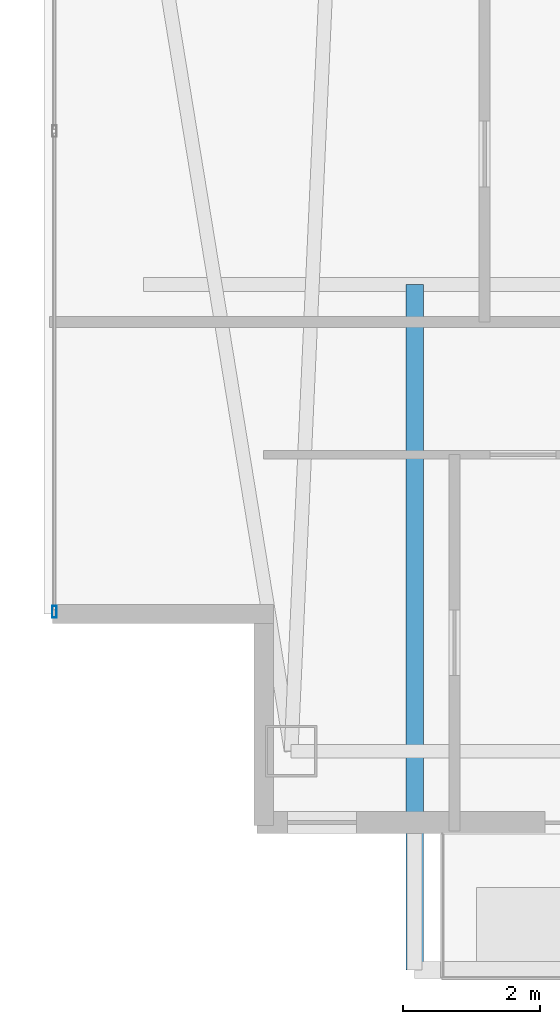
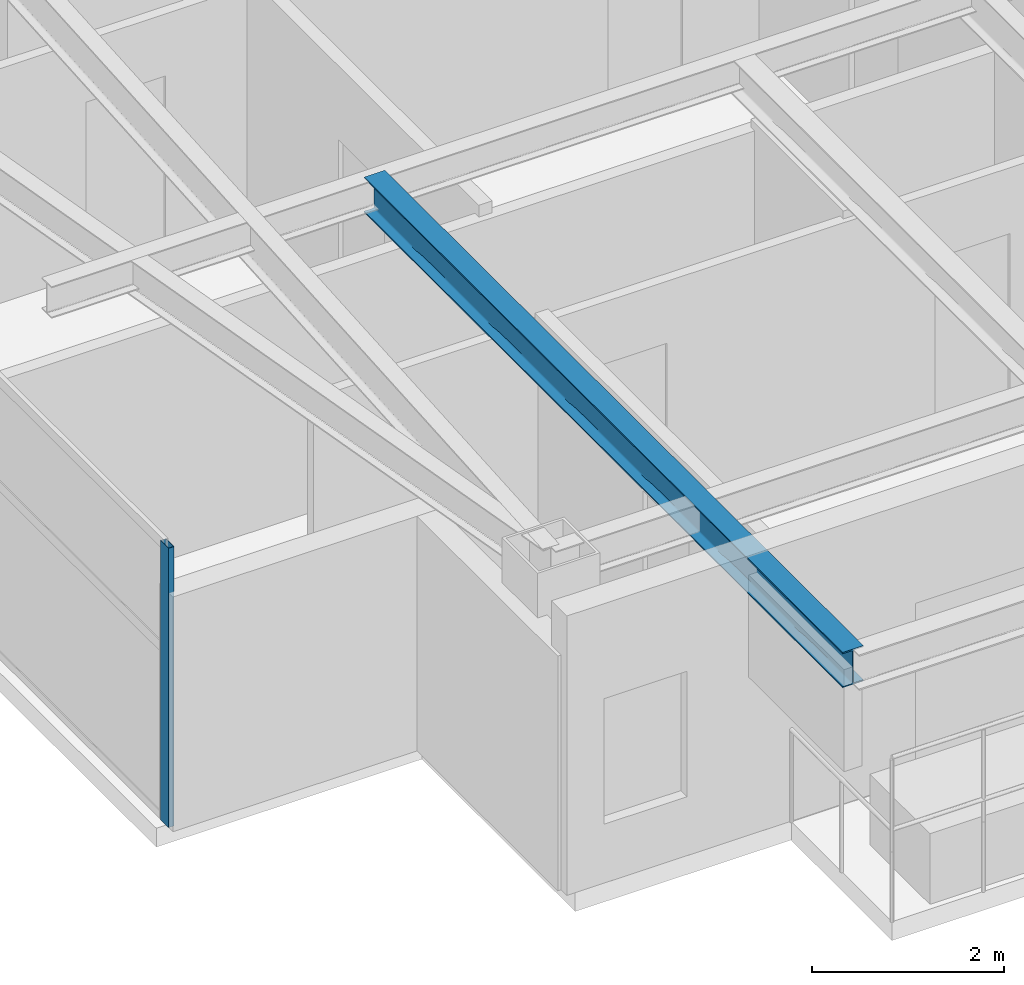
# One storey, part 2 of 27: 1 beam, 1 member, 1 element without a shape of its own.
"""IFC4 building model written with IfcOpenShell, lengths in metres."""

from ifc_helpers import new_model, si_unit, direction, frame, origin, origin_2d, place, context, subcontext, project, spatial, hollow_rectangle, i_section, extrude, material, layer, layer_set, material_profile, profile_set, type_object, element, aggregate, save


model = new_model("IFC4")

# Units and contexts
model_context = context("Model", 3, precision=1e-05, world=origin(), true_north=direction((0.0, 1.0)))
body_context = subcontext(model_context, "Body", "Model", "MODEL_VIEW")
ifc_project = project(units=[si_unit("LENGTHUNIT", "METRE"), si_unit("AREAUNIT", "SQUARE_METRE"), si_unit("VOLUMEUNIT", "CUBIC_METRE"), si_unit("PLANEANGLEUNIT", "RADIAN"), si_unit("MASSUNIT", "GRAM", prefix="KILO")], contexts=[model_context])

# Site, building, storey
site_placement = place(None, origin())
site = spatial("IfcSite", under=ifc_project, at=site_placement, CompositionType="ELEMENT")
building_placement = place(site_placement, origin())
building = spatial("IfcBuilding", under=site, at=building_placement, Name="Calvorn Quay Hotel", CompositionType="ELEMENT")
storey_placement = place(building_placement, frame((0.0, 0.0, 298.699951171875)))
storey = spatial("IfcBuildingStorey", under=building, at=storey_placement, Name="L74", CompositionType="ELEMENT", Elevation=298.699951171875)

# Beam
ifc_material_1 = material(Name="Steel Q355B", Category="steel")
ifc_material_profile_1 = material_profile(ifc_material_1, i_section(OverallWidth=0.25, OverallDepth=0.449951171875, WebThickness=0.011962890625, FlangeThickness=0.01611328125, FilletRadius=0.01611328125, at=origin_2d()), Name="HN450x250x12x16")
ifc_profile_set_1 = profile_set([ifc_material_profile_1], Name="Steel Q355B")
beam_type = type_object("IfcBeamType", Name="BM-CANT-BALC", PredefinedType="BEAM", material=ifc_profile_set_1)
beam_placement = place(storey_placement, frame((5.39990234375, 10.39990234375, 3.31494140625), z_axis=(0.0, -1.0, 0.0), x_axis=(1.0, 0.0, 0.0)))
element("IfcBeam", 1, at=beam_placement, inside=storey, type_object=beam_type, Name="Cantilever Balcony Beam BCB-L75-2A", PredefinedType="BEAM", context=body_context, shape_type="SweptSolid", body=[
    extrude(i_section(OverallWidth=0.25, OverallDepth=0.449951171875, WebThickness=0.011962890625, FlangeThickness=0.01611328125, FilletRadius=0.01611328125, at=origin_2d()), origin(), (0.0, 0.0, 1.0), 9.989990234375),
])

# Curtain wall, member
ifc_material_2 = material(Name="Champagne Bronze Anodised Aluminium and Low-E Glass", Category="aluminium")
ifc_layer = layer(ifc_material_2, 0.219970703125)
ifc_layer_set = layer_set([ifc_layer], Name="CW-SYS-Z4")
curtain_wall_type = type_object("IfcCurtainWallType", Name="CW-SYS-Z4", PredefinedType="NOTDEFINED", material=ifc_layer_set)
curtain_wall_placement = place(storey_placement, origin())
curtain_wall = element("IfcCurtainWall", 2, at=curtain_wall_placement, inside=storey, type_object=curtain_wall_type, Name="Tower West Curtain Wall (L74)", PredefinedType="NOTDEFINED")
ifc_material_3 = material(Name="Champagne Bronze Anodised Aluminium 6063-T6", Category="aluminium")
ifc_material_profile_2 = material_profile(ifc_material_3, hollow_rectangle(XDim=0.06494140625, YDim=0.169921875, WallThickness=0.00341796875, at=origin_2d()), Name="ALU-M170x65x3.5")
ifc_profile_set_2 = profile_set([ifc_material_profile_2], Name="Champagne Bronze Anodised Aluminium 6063-T6")
member_type = type_object("IfcMemberType", Name="CW-SYS-Z4-MUL", PredefinedType="MULLION", material=ifc_profile_set_2)
member_placement = place(storey_placement, frame((0.14990234375, 5.6298828125, 0.0), z_axis=(0.0, 0.0, 1.0), x_axis=(-1.0, 0.0, 0.0)))
member = element("IfcMember", 3, at=member_placement, type_object=member_type, Name="CW-L74-W mullion 1", PredefinedType="MULLION", context=body_context, shape_type="SweptSolid", body=[
    extrude(hollow_rectangle(XDim=0.06494140625, YDim=0.169921875, WallThickness=0.00341796875, at=origin_2d()), origin(), (0.0, 0.0, 1.0), 3.56005859375),
])
aggregate(curtain_wall, [member])

save(model, "model.ifc")
